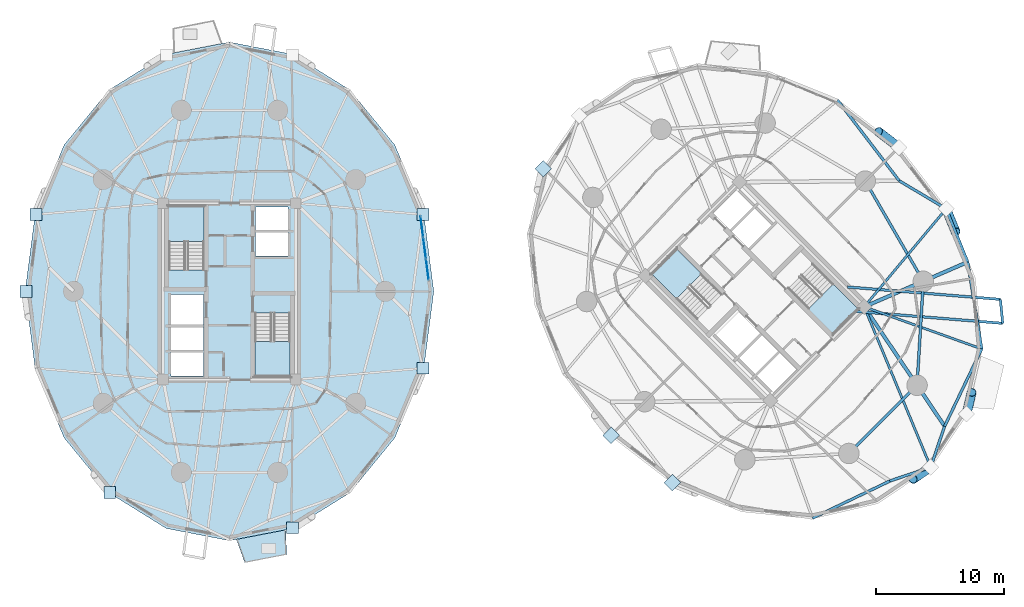
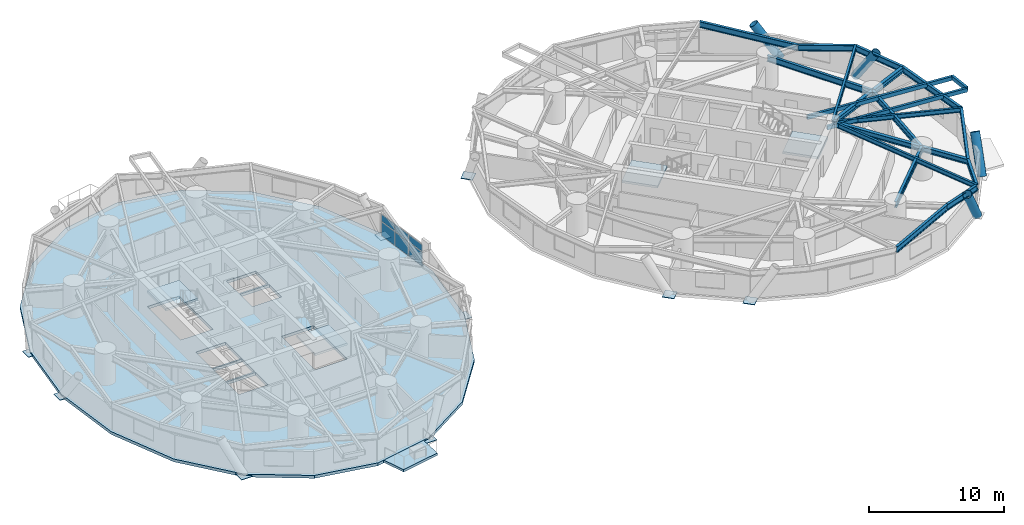
# One storey, part 8 of 18: 19 beams, 15 plates, 6 slabs, 4 members, 5 elements without a shape of their own.
"""IFC4 building model written with IfcOpenShell, lengths in metres."""

from ifc_helpers import new_model, si_unit, direction, frame, origin, origin_2d, place, context, subcontext, project, spatial, polyline, rectangle, hollow_rectangle, hollow_circle, i_section, outline, extrude, source, transform, mapped, material, layer, layer_set, material_profile, profile_set, type_object, element, aggregate, save


model = new_model("IFC4")

# Units and contexts
model_context = context("Model", 3, precision=1e-05, world=origin(), true_north=direction((0.0, 1.0)))
body_context = subcontext(model_context, "Body", "Model", "MODEL_VIEW")
ifc_project = project(units=[si_unit("LENGTHUNIT", "METRE"), si_unit("AREAUNIT", "SQUARE_METRE"), si_unit("VOLUMEUNIT", "CUBIC_METRE"), si_unit("PLANEANGLEUNIT", "RADIAN"), si_unit("MASSUNIT", "GRAM", prefix="KILO")], contexts=[model_context])

# Site, building, storey
site_placement = place(None, origin())
site = spatial("IfcSite", under=ifc_project, at=site_placement, CompositionType="ELEMENT")
building_placement = place(site_placement, origin())
building = spatial("IfcBuilding", under=site, at=building_placement, Name="Cununo Teusaquillo Station Towers", CompositionType="ELEMENT")
storey_placement = place(building_placement, frame((0.0, 0.0, 56.919921875)))
storey = spatial("IfcBuildingStorey", under=building, at=storey_placement, Name="L17", CompositionType="ELEMENT", Elevation=56.919921875)

# Beams
ifc_material_1 = material(Name="Steel EN 10025-2 S355J2", Category="steel")
ifc_material_profile_1 = material_profile(ifc_material_1, hollow_rectangle(XDim=0.199951171875, YDim=0.35009765625, WallThickness=0.013916015625, at=origin_2d()), Name="RHS 350x200x14")
ifc_profile_set_1 = profile_set([ifc_material_profile_1], Name="Steel EN 10025-2 S355J2")
beam_type_1 = type_object("IfcBeamType", Name="BM-BAL-CANT", PredefinedType="BEAM", material=ifc_profile_set_1)
beam_1_placement = place(storey_placement, frame((65.3427734375, 22.938232421875, 2.47509765625), z_axis=(0.996737206514, -0.080715185377, 0.0), x_axis=(0.080715185377, 0.996737206514, 0.0)))
element("IfcBeam", 1, at=beam_1_placement, inside=storey, type_object=beam_type_1, Name="L17 Tower B Balcony Cantilever Bracket 2A", PredefinedType="BEAM", context=body_context, shape_type="SweptSolid", body=[
    extrude(hollow_rectangle(XDim=0.199951171875, YDim=0.35009765625, WallThickness=0.013916015625, at=origin_2d()), origin(), (0.0, 0.0, 1.0), 11.524169921875),
])
beam_2_placement = place(storey_placement, frame((64.72412109375, 24.841796875, 2.47509765625), z_axis=(0.996738552182, -0.080698566242, 0.0), x_axis=(0.080698566242, 0.996738552182, 0.0)))
element("IfcBeam", 2, at=beam_2_placement, inside=storey, type_object=beam_type_1, Name="L17 Tower B Balcony Cantilever Bracket 2B", PredefinedType="BEAM", context=body_context, shape_type="SweptSolid", body=[
    extrude(hollow_rectangle(XDim=0.199951171875, YDim=0.35009765625, WallThickness=0.013916015625, at=origin_2d()), origin(), (0.0, 0.0, 1.0), 11.959228515625),
])
ifc_material_2 = material(Name="Steel ASTM A572 Grade 50", Category="steel")
ifc_material_profile_2 = material_profile(ifc_material_2, i_section(OverallWidth=0.180908203125, OverallDepth=0.4169921875, WebThickness=0.010986328125, FlangeThickness=0.018310546875, FilletRadius=0.012939453125, at=origin_2d()), Name="W16X57")
ifc_profile_set_2 = profile_set([ifc_material_profile_2], Name="Steel ASTM A572 Grade 50")
beam_type_2 = type_object("IfcBeamType", Name="BM-JOIST-1", PredefinedType="JOIST", material=ifc_profile_set_2)
beam_3_placement = place(storey_placement, frame((66.024169921875, 23.29443359375, 2.441650390625), z_axis=(0.383107724927, -0.923703670612, 0.0), x_axis=(0.923703670612, 0.383107724927, 0.0)))
element("IfcBeam", 3, at=beam_3_placement, inside=storey, type_object=beam_type_2, Name="L17 Tower B Radial Spandrel Joist V15", PredefinedType="JOIST", context=body_context, shape_type="SweptSolid", body=[
    extrude(i_section(OverallWidth=0.180908203125, OverallDepth=0.4169921875, WebThickness=0.010986328125, FlangeThickness=0.018310546875, FilletRadius=0.012939453125, at=origin_2d()), origin(), (0.0, 0.0, 1.0), 13.5380859375),
])
beam_4_placement = place(storey_placement, frame((66.024169921875, 23.29443359375, 2.441650390625), z_axis=(0.941404588136, -0.337279411522, 0.0), x_axis=(0.337279411522, 0.941404588136, 0.0)))
element("IfcBeam", 4, at=beam_4_placement, inside=storey, type_object=beam_type_2, Name="L17 Tower B Radial Spandrel Joist V17", PredefinedType="JOIST", context=body_context, shape_type="SweptSolid", body=[
    extrude(i_section(OverallWidth=0.180908203125, OverallDepth=0.4169921875, WebThickness=0.010986328125, FlangeThickness=0.018310546875, FilletRadius=0.012939453125, at=origin_2d()), origin(), (0.0, 0.0, 1.0), 9.740234375),
])
beam_5_placement = place(storey_placement, frame((66.024169921875, 23.29443359375, 2.441650390625), z_axis=(0.641315728701, 0.767277092139, 0.0), x_axis=(-0.767277092139, 0.641315728701, 0.0)))
element("IfcBeam", 5, at=beam_5_placement, inside=storey, type_object=beam_type_2, Name="L17 Tower B Radial Spandrel Joist V19", PredefinedType="JOIST", context=body_context, shape_type="SweptSolid", body=[
    extrude(i_section(OverallWidth=0.180908203125, OverallDepth=0.4169921875, WebThickness=0.010986328125, FlangeThickness=0.018310546875, FilletRadius=0.012939453125, at=origin_2d()), origin(), (0.0, 0.0, 1.0), 9.97021484375),
])
ifc_material_3 = material(Name="Steel ASTM A572 Grade 50", Category="steel")
ifc_material_profile_3 = material_profile(ifc_material_3, i_section(OverallWidth=0.280029296875, OverallDepth=0.462890625, WebThickness=0.0107421875, FlangeThickness=0.017333984375, FilletRadius=0.013916015625, at=origin_2d()), Name="W18X76")
ifc_profile_set_3 = profile_set([ifc_material_profile_3], Name="Steel ASTM A572 Grade 50")
beam_type_3 = type_object("IfcBeamType", Name="BM-RAD-G1", PredefinedType="BEAM", material=ifc_profile_set_3)
beam_6_placement = place(storey_placement, frame((66.024169921875, 23.29443359375, 2.41845703125), z_axis=(0.558572297481, -0.82945583878, 0.0), x_axis=(0.82945583878, 0.558572297481, 0.0)))
element("IfcBeam", 6, at=beam_6_placement, inside=storey, type_object=beam_type_3, Name="L17 Tower B Continuous Overhanging Radial Girder 09", PredefinedType="BEAM", context=body_context, shape_type="SweptSolid", body=[
    extrude(i_section(OverallWidth=0.280029296875, OverallDepth=0.462890625, WebThickness=0.0107421875, FlangeThickness=0.017333984375, FilletRadius=0.013916015625, at=origin_2d()), origin(), (0.0, 0.0, 1.0), 11.22998046875),
])
beam_7_placement = place(storey_placement, frame((66.024169921875, 23.29443359375, 2.41845703125), z_axis=(0.917660203996, 0.397366015157, 0.0), x_axis=(-0.397366015157, 0.917660203996, 0.0)))
element("IfcBeam", 7, at=beam_7_placement, inside=storey, type_object=beam_type_3, Name="L17 Tower B Continuous Overhanging Radial Girder 10", PredefinedType="BEAM", context=body_context, shape_type="SweptSolid", body=[
    extrude(i_section(OverallWidth=0.280029296875, OverallDepth=0.462890625, WebThickness=0.0107421875, FlangeThickness=0.017333984375, FilletRadius=0.013916015625, at=origin_2d()), origin(), (0.0, 0.0, 1.0), 8.798095703125),
])
ifc_material_4 = material(Name="Steel ASTM A572 Grade 50", Category="steel")
ifc_material_profile_4 = material_profile(ifc_material_4, i_section(OverallWidth=0.214111328125, OverallDepth=0.549072265625, WebThickness=0.0146484375, FlangeThickness=0.023681640625, FilletRadius=0.014892578125, at=origin_2d()), Name="W21X93")
ifc_profile_set_4 = profile_set([ifc_material_profile_4], Name="Steel ASTM A572 Grade 50")
beam_type_4 = type_object("IfcBeamType", Name="BM-RING-Z1", PredefinedType="SPANDREL", material=ifc_profile_set_4)
beam_8_placement = place(storey_placement, frame((64.826904296875, 11.853759765625, 2.37548828125), z_axis=(0.707106781187, 0.707106781187, 0.0), x_axis=(-0.707106781187, 0.707106781187, 0.0)))
element("IfcBeam", 8, at=beam_8_placement, inside=storey, type_object=beam_type_4, Name="L17 Tower B Structural Column Ring Girder 08", PredefinedType="SPANDREL", context=body_context, shape_type="SweptSolid", body=[
    extrude(i_section(OverallWidth=0.214111328125, OverallDepth=0.549072265625, WebThickness=0.0146484375, FlangeThickness=0.023681640625, FilletRadius=0.014892578125, at=origin_2d()), origin(), (0.0, 0.0, 1.0), 7.522705078125),
])
beam_9_placement = place(storey_placement, frame((70.146240234375, 17.173095703125, 2.37548828125), z_axis=(0.06012979176, 0.998190567048, 0.0), x_axis=(-0.998190567048, 0.06012979176, 0.0)))
element("IfcBeam", 9, at=beam_9_placement, inside=storey, type_object=beam_type_4, Name="L17 Tower B Structural Column Ring Girder 09", PredefinedType="SPANDREL", context=body_context, shape_type="SweptSolid", body=[
    extrude(i_section(OverallWidth=0.214111328125, OverallDepth=0.549072265625, WebThickness=0.0146484375, FlangeThickness=0.023681640625, FilletRadius=0.014892578125, at=origin_2d()), origin(), (0.0, 0.0, 1.0), 8.132568359375),
])
beam_10_placement = place(storey_placement, frame((70.63525390625, 25.291015625, 2.37548828125), z_axis=(-0.501311121078, 0.865267103202, 0.0), x_axis=(-0.865267103202, -0.501311121078, 0.0)))
element("IfcBeam", 10, at=beam_10_placement, inside=storey, type_object=beam_type_4, Name="L17 Tower B Structural Column Ring Girder 10", PredefinedType="SPANDREL", context=body_context, shape_type="SweptSolid", body=[
    extrude(i_section(OverallWidth=0.214111328125, OverallDepth=0.549072265625, WebThickness=0.0146484375, FlangeThickness=0.023681640625, FilletRadius=0.014892578125, at=origin_2d()), origin(), (0.0, 0.0, 1.0), 9.032958984375),
])
beam_11_placement = place(storey_placement, frame((68.7529296875, 33.12939453125, 2.37548828125), z_axis=(-0.607410042696, 0.794388469222, 0.0), x_axis=(-0.794388469222, -0.607410042696, 0.0)))
element("IfcBeam", 11, at=beam_11_placement, inside=storey, type_object=beam_type_4, Name="L17 Tower B Spandrel Ring Beam 01", PredefinedType="SPANDREL", context=body_context, shape_type="SweptSolid", body=[
    extrude(i_section(OverallWidth=0.214111328125, OverallDepth=0.549072265625, WebThickness=0.0146484375, FlangeThickness=0.023681640625, FilletRadius=0.014892578125, at=origin_2d()), origin(), (0.0, 0.0, 1.0), 7.91650390625),
])
beam_12_placement = place(storey_placement, frame((61.99072265625, 6.806396484375, 2.37548828125), z_axis=(0.901374357189, 0.433040723491, 0.0), x_axis=(-0.433040723491, 0.901374357189, 0.0)))
element("IfcBeam", 12, at=beam_12_placement, inside=storey, type_object=beam_type_4, Name="L17 Tower B Spandrel Ring Beam 14", PredefinedType="SPANDREL", context=body_context, shape_type="SweptSolid", body=[
    extrude(i_section(OverallWidth=0.214111328125, OverallDepth=0.549072265625, WebThickness=0.0146484375, FlangeThickness=0.023681640625, FilletRadius=0.014892578125, at=origin_2d()), origin(), (0.0, 0.0, 1.0), 6.689208984375),
])
for number, where, z_axis, x_axis, name in (
    (13, (68.020263671875, 9.703125, 2.37548828125), (0.946642852865, 0.322284515794, 0.0), (-0.322284515794, 0.946642852865, 0.0), "L17 Tower B Spandrel Ring Beam 15"),
    (14, (71.210693359375, 10.789306640625, 2.37548828125), (0.322284515794, 0.946642852865, 0.0), (-0.946642852865, 0.322284515794, 0.0), "L17 Tower B Spandrel Ring Beam 16"),
):
    element("IfcBeam", number, at=place(storey_placement, frame(where, z_axis=z_axis, x_axis=x_axis)), inside=storey, type_object=beam_type_4, Name=name, PredefinedType="SPANDREL", context=body_context, shape_type="SweptSolid", body=[
        extrude(i_section(OverallWidth=0.214111328125, OverallDepth=0.549072265625, WebThickness=0.0146484375, FlangeThickness=0.023681640625, FilletRadius=0.014892578125, at=origin_2d()), origin(), (0.0, 0.0, 1.0), 3.370361328125),
    ])
beam_13_placement = place(storey_placement, frame((72.296875, 13.979736328125, 2.37548828125), z_axis=(0.433040723491, 0.901374357189, 0.0), x_axis=(-0.901374357189, 0.433040723491, 0.0)))
element("IfcBeam", 15, at=beam_13_placement, inside=storey, type_object=beam_type_4, Name="L17 Tower B Spandrel Ring Beam 17", PredefinedType="SPANDREL", context=body_context, shape_type="SweptSolid", body=[
    extrude(i_section(OverallWidth=0.214111328125, OverallDepth=0.549072265625, WebThickness=0.0146484375, FlangeThickness=0.023681640625, FilletRadius=0.014892578125, at=origin_2d()), origin(), (0.0, 0.0, 1.0), 6.689208984375),
])
beam_14_placement = place(storey_placement, frame((75.193603515625, 20.00927734375, 2.37548828125), z_axis=(-0.15950955411, 0.987196384793, 0.0), x_axis=(-0.987196384793, -0.15950955411, 0.0)))
element("IfcBeam", 16, at=beam_14_placement, inside=storey, type_object=beam_type_4, Name="L17 Tower B Spandrel Ring Beam 18", PredefinedType="SPANDREL", context=body_context, shape_type="SweptSolid", body=[
    extrude(i_section(OverallWidth=0.214111328125, OverallDepth=0.549072265625, WebThickness=0.0146484375, FlangeThickness=0.023681640625, FilletRadius=0.014892578125, at=origin_2d()), origin(), (0.0, 0.0, 1.0), 6.869140625),
])
beam_15_placement = place(storey_placement, frame((74.097900390625, 26.79052734375, 2.37548828125), z_axis=(-0.374882843411, 0.927072194447, 0.0), x_axis=(-0.927072194447, -0.374882843411, 0.0)))
element("IfcBeam", 17, at=beam_15_placement, inside=storey, type_object=beam_type_4, Name="L17 Tower B Spandrel Ring Beam 19", PredefinedType="SPANDREL", context=body_context, shape_type="SweptSolid", body=[
    extrude(i_section(OverallWidth=0.214111328125, OverallDepth=0.549072265625, WebThickness=0.0146484375, FlangeThickness=0.023681640625, FilletRadius=0.014892578125, at=origin_2d()), origin(), (0.0, 0.0, 1.0), 4.48046875),
])
beam_16_placement = place(storey_placement, frame((72.418212890625, 30.9443359375, 2.37548828125), z_axis=(-0.858948426011, 0.512062107027, 0.0), x_axis=(-0.512062107027, -0.858948426011, 0.0)))
element("IfcBeam", 18, at=beam_16_placement, inside=storey, type_object=beam_type_4, Name="L17 Tower B Spandrel Ring Beam 20", PredefinedType="SPANDREL", context=body_context, shape_type="SweptSolid", body=[
    extrude(i_section(OverallWidth=0.214111328125, OverallDepth=0.549072265625, WebThickness=0.0146484375, FlangeThickness=0.023681640625, FilletRadius=0.014892578125, at=origin_2d()), origin(), (0.0, 0.0, 1.0), 4.26708984375),
])
ifc_material_5 = material(Name="Steel EN 10025-2 S355J2", Category="steel")
ifc_material_profile_5 = material_profile(ifc_material_5, hollow_rectangle(XDim=0.199951171875, YDim=0.35009765625, WallThickness=0.013916015625, at=origin_2d()), Name="RHS 350x200x14")
ifc_profile_set_5 = profile_set([ifc_material_profile_5], Name="Steel EN 10025-2 S355J2")
beam_type_5 = type_object("IfcBeamType", Name="BM-STAIR-TRIM", PredefinedType="BEAM", material=ifc_profile_set_5)
beam_17_placement = place(storey_placement, frame((76.829345703125, 22.008056640625, 2.525146484375), z_axis=(-0.098551090973, 0.995131992485, 0.0), x_axis=(-0.995131992485, -0.098551090973, 0.0)))
element("IfcBeam", 19, at=beam_17_placement, inside=storey, type_object=beam_type_5, Name="L17 Tower B Balcony Edge Trimmer Beam 2", PredefinedType="BEAM", context=body_context, shape_type="SweptSolid", body=[
    extrude(hollow_rectangle(XDim=0.199951171875, YDim=0.35009765625, WallThickness=0.013916015625, at=origin_2d()), origin(), (0.0, 0.0, 1.0), 1.877685546875),
])

# Members
ifc_material_6 = material(Name="Steel EN 10025-2 S355J2", Category="steel")
ifc_material_profile_6 = material_profile(ifc_material_6, hollow_circle(Radius=0.360107421875, WallThickness=0.028076171875, at=origin_2d()), Name="CHS 720x28")
ifc_profile_set_6 = profile_set([ifc_material_profile_6], Name="Steel EN 10025-2 S355J2")
member_type = type_object("IfcMemberType", Name="MBR-DIAG-Z1", PredefinedType="BRACE", material=ifc_profile_set_6)
member_1_placement = place(storey_placement, frame((68.73095703125, 35.73095703125, -0.139892578125), z_axis=(-0.450839843629, 0.347288106018, 0.82227392444), x_axis=(-0.610249600559, -0.792209205335, 0.0)))
element("IfcMember", 20, at=member_1_placement, inside=storey, type_object=member_type, Name="L17 Tower B Folded-Zigzag Diagrid Tube C00", PredefinedType="BRACE", context=body_context, shape_type="SweptSolid", body=[
    extrude(hollow_circle(Radius=0.360107421875, WallThickness=0.028076171875, at=origin_2d()), origin(), (0.0, 0.0, 1.0), 3.538818359375),
])
member_2_placement = place(storey_placement, frame((71.210693359375, 10.789306640625, -0.139892578125), z_axis=(-0.411654111311, -0.278343414846, 0.867793659836), x_axis=(0.560131970087, -0.828403389712, 0.0)))
element("IfcMember", 21, at=member_2_placement, inside=storey, type_object=member_type, Name="L17 Tower B Folded-Zigzag Diagrid Tube C14", PredefinedType="BRACE", context=body_context, shape_type="SweptSolid", body=[
    extrude(hollow_circle(Radius=0.360107421875, WallThickness=0.028076171875, at=origin_2d()), origin(), (0.0, 0.0, 1.0), 3.353271484375),
])
member_3_placement = place(storey_placement, frame((74.01025390625, 14.930908203125, -0.139892578125), z_axis=(0.116400503539, 0.499384090986, 0.858525743613), x_axis=(-0.973894027021, 0.227003136833, 0.0)))
element("IfcMember", 22, at=member_3_placement, inside=storey, type_object=member_type, Name="L17 Tower B Folded-Zigzag Diagrid Tube C16", PredefinedType="BRACE", context=body_context, shape_type="SweptSolid", body=[
    extrude(hollow_circle(Radius=0.360107421875, WallThickness=0.028076171875, at=origin_2d()), origin(), (0.0, 0.0, 1.0), 3.389404296875),
])
member_4_placement = place(storey_placement, frame((72.418212890625, 30.9443359375, -0.139892578125), z_axis=(0.211804277744, -0.515297512564, 0.830426048167), x_axis=(0.924916190309, 0.380171067947, 0.0)))
element("IfcMember", 23, at=member_4_placement, inside=storey, type_object=member_type, Name="L17 Tower B Folded-Zigzag Diagrid Tube C18", PredefinedType="BRACE", context=body_context, shape_type="SweptSolid", body=[
    extrude(hollow_circle(Radius=0.360107421875, WallThickness=0.028076171875, at=origin_2d()), origin(), (0.0, 0.0, 1.0), 3.504150390625),
])

# Slab
ifc_material_7 = material(Name="Concrete C50/60", Category="concrete")
ifc_layer_1 = layer(ifc_material_7, 0.2099609375)
ifc_layer_set_1 = layer_set([ifc_layer_1], Name="Concrete C50/60")
slab_type_1 = type_object("IfcSlabType", Name="SLB-BAL-210", PredefinedType="FLOOR", material=ifc_layer_set_1)
slab_1_placement = place(storey_placement, frame((0.0, 0.0, -0.2099609375)))
element("IfcSlab", 24, at=slab_1_placement, inside=storey, type_object=slab_type_1, Name="L17 Tower A Tree Balcony Slab 2", PredefinedType="FLOOR", context=body_context, shape_type="SweptSolid", body=[
    extrude(outline(polyline([(17.041015625, 5.1494140625), (20.8876953125, 5.892578125), (20.956298828125, 3.95556640625), (17.69873046875, 3.326171875), (17.041015625, 5.1494140625)])), origin(), (0.0, 0.0, 1.0), 0.2099609375),
])

# Stair, slab
ifc_material_8 = material(Name="Concrete C50/60", Category="concrete")
stair_type = type_object("IfcStairType", Name="ST-TWR-1300", PredefinedType="HALF_TURN_STAIR", material=ifc_material_8)
stair_1_placement = place(storey_placement, origin())
stair_1 = element("IfcStair", 25, at=stair_1_placement, inside=storey, type_object=stair_type, Name="L17 Tower A Protected Core Exit Stair 1", PredefinedType="HALF_TURN_STAIR")
ifc_material_9 = material(Name="Concrete C50/60", Category="concrete")
ifc_layer_2 = layer(ifc_material_9, 0.199951171875)
ifc_layer_set_2 = layer_set([ifc_layer_2], Name="Concrete C50/60")
slab_type_2 = type_object("IfcSlabType", Name="SLB-STAIR-LND", PredefinedType="LANDING", material=ifc_layer_set_2)
slab_2_placement = place(storey_placement, frame((0.0, 0.0, 1.255126953125)))
slab_2 = element("IfcSlab", 26, at=slab_2_placement, type_object=slab_type_2, Name="ST-T1-1 landing 1", PredefinedType="LANDING", context=body_context, shape_type="SweptSolid", body=[
    extrude(outline(polyline([(14.52001953125, 28.409912109375), (14.52001953125, 31.159912109375), (11.760009765625, 31.159912109375), (11.760009765625, 28.409912109375), (14.52001953125, 28.409912109375)])), origin(), (0.0, 0.0, 1.0), 0.199951171875),
])
aggregate(stair_1, [slab_2])

stair_2_placement = place(storey_placement, origin())
stair_2 = element("IfcStair", 27, at=stair_2_placement, inside=storey, type_object=stair_type, Name="L17 Tower A Protected Core Exit Stair 2", PredefinedType="HALF_TURN_STAIR")
slab_3_placement = place(storey_placement, frame((0.0, 0.0, 1.255126953125)))
slab_3 = element("IfcSlab", 28, at=slab_3_placement, type_object=slab_type_2, Name="ST-T1-2 landing 1", PredefinedType="LANDING", context=body_context, shape_type="SweptSolid", body=[
    extrude(outline(polyline([(18.47998046875, 20.590087890625), (18.47998046875, 17.840087890625), (21.239990234375, 17.840087890625), (21.239990234375, 20.590087890625), (18.47998046875, 20.590087890625)])), origin(), (0.0, 0.0, 1.0), 0.199951171875),
])
aggregate(stair_2, [slab_3])

stair_3_placement = place(storey_placement, origin())
stair_3 = element("IfcStair", 29, at=stair_3_placement, inside=storey, type_object=stair_type, Name="L17 Tower B Protected Core Exit Stair 1", PredefinedType="HALF_TURN_STAIR")
slab_4_placement = place(storey_placement, frame((0.0, 0.0, 1.255126953125)))
slab_4 = element("IfcSlab", 30, at=slab_4_placement, type_object=slab_type_2, Name="ST-T2-1 landing 1", PredefinedType="LANDING", context=body_context, shape_type="SweptSolid", body=[
    extrude(outline(polyline([(53.335205078125, 25.86474609375), (51.390625, 27.809326171875), (49.43896484375, 25.857666015625), (51.383544921875, 23.9130859375), (53.335205078125, 25.86474609375)])), origin(), (0.0, 0.0, 1.0), 0.199951171875),
])
aggregate(stair_3, [slab_4])

stair_4_placement = place(storey_placement, origin())
stair_4 = element("IfcStair", 31, at=stair_4_placement, inside=storey, type_object=stair_type, Name="L17 Tower B Protected Core Exit Stair 2", PredefinedType="HALF_TURN_STAIR")
slab_5_placement = place(storey_placement, frame((0.0, 0.0, 1.255126953125)))
slab_5 = element("IfcSlab", 32, at=slab_5_placement, type_object=slab_type_2, Name="ST-T2-2 landing 1", PredefinedType="LANDING", context=body_context, shape_type="SweptSolid", body=[
    extrude(outline(polyline([(61.664794921875, 23.13525390625), (63.609375, 21.190673828125), (65.56103515625, 23.142333984375), (63.616455078125, 25.0869140625), (61.664794921875, 23.13525390625)])), origin(), (0.0, 0.0, 1.0), 0.199951171875),
])
aggregate(stair_4, [slab_5])

# Slab
ifc_material_10 = material(Name="Concrete C50/60", Category="concrete")
ifc_layer_3 = layer(ifc_material_10, 0.260009765625)
ifc_layer_set_3 = layer_set([ifc_layer_3], Name="Concrete C50/60")
slab_type_3 = type_object("IfcSlabType", Name="SLB-Z1-260", PredefinedType="FLOOR", material=ifc_layer_set_3)
slab_6_placement = place(storey_placement, frame((0.0, 0.0, -0.260009765625)))
element("IfcSlab", 33, at=slab_6_placement, inside=storey, type_object=slab_type_3, Name="L17 Tower A Floor Slab", PredefinedType="FLOOR", context=body_context, shape_type="SweptSolid", body=[
    extrude(outline(polyline([(32.443115234375, 24.5), (31.66259765625, 30.510498046875), (29.398193359375, 35.932373046875), (25.87109375, 40.2353515625), (21.4267578125, 42.998046875), (16.5, 43.949951171875), (11.5732421875, 42.998046875), (7.12890625, 40.2353515625), (3.601806640625, 35.932373046875), (1.33740234375, 30.510498046875), (0.556884765625, 24.5), (1.33740234375, 18.489501953125), (3.601806640625, 13.067626953125), (7.12890625, 8.7646484375), (11.5732421875, 6.001953125), (16.5, 5.050048828125), (21.4267578125, 6.001953125), (25.87109375, 8.7646484375), (29.398193359375, 13.067626953125), (31.66259765625, 18.489501953125), (32.443115234375, 24.5)]), holes=[polyline([(14.52001953125, 26.176025390625), (14.52001953125, 31.159912109375), (11.760009765625, 31.159912109375), (11.760009765625, 26.176025390625), (14.52001953125, 26.176025390625)]), polyline([(18.47998046875, 22.823974609375), (18.47998046875, 17.840087890625), (21.239990234375, 17.840087890625), (21.239990234375, 22.823974609375), (18.47998046875, 22.823974609375)]), polyline([(11.949951171875, 21.85009765625), (14.47998046875, 21.85009765625), (14.47998046875, 24.25), (11.949951171875, 24.25), (11.949951171875, 21.85009765625)]), polyline([(11.949951171875, 17.89990234375), (14.47998046875, 17.89990234375), (14.47998046875, 19.75), (11.949951171875, 19.75), (11.949951171875, 17.89990234375)]), polyline([(11.949951171875, 19.89990234375), (14.47998046875, 19.89990234375), (14.47998046875, 21.75), (11.949951171875, 21.75), (11.949951171875, 19.89990234375)]), polyline([(18.52001953125, 27.25), (21.050048828125, 27.25), (21.050048828125, 29.10009765625), (18.52001953125, 29.10009765625), (18.52001953125, 27.25)]), polyline([(18.52001953125, 29.25), (21.050048828125, 29.25), (21.050048828125, 31.10009765625), (18.52001953125, 31.10009765625), (18.52001953125, 29.25)])]), origin(), (0.0, 0.0, 1.0), 0.260009765625),
])

# Plates
ifc_material_11 = material(Name="Steel ASTM A572 Grade 50", Category="steel")
ifc_layer_4 = layer(ifc_material_11, 0.050048828125)
ifc_layer_set_4 = layer_set([ifc_layer_4], Name="Steel ASTM A572 Grade 50")
plate_type_1 = type_object("IfcPlateType", Name="PLT-NODE-DN1", PredefinedType="USERDEFINED", material=ifc_layer_set_4)
shared_shape_1 = source(origin(), body_context, "Body", "SweptSolid", [
    extrude(rectangle(XDim=0.919921875, YDim=0.919921875, at=origin_2d()), origin(), (0.0, 0.0, 1.0), 0.050048828125),
])
for number, where, z_axis, x_axis, name in (
    (34, (31.605712890625, 30.49169921875, -0.1650390625), (0.0, 0.0, 1.0), (1.0, 0.0, 0.0), "L17 Tower A Diagrid Node Assembly C01"),
    (35, (1.394287109375, 30.49169921875, -0.1650390625), (0.0, 0.0, 1.0), (1.0, 0.0, 0.0), "L17 Tower A Diagrid Node Assembly C08"),
    (36, (0.616943359375, 24.5, -0.1650390625), (0.0, 0.0, 1.0), (1.0, 0.0, 0.0), "L17 Tower A Diagrid Node Assembly C10"),
    (37, (7.164306640625, 8.813232421875, -0.1650390625), (0.0, 0.0, 1.0), (1.0, 0.0, 0.0), "L17 Tower A Diagrid Node Assembly C12"),
    (38, (21.408203125, 6.05908203125, -0.1650390625), (0.0, 0.0, 1.0), (1.0, 0.0, 0.0), "L17 Tower A Diagrid Node Assembly C16"),
    (39, (31.605712890625, 18.50830078125, -0.1650390625), (0.0, 0.0, 1.0), (1.0, 0.0, 0.0), "L17 Tower A Diagrid Node Assembly C18"),
    (40, (40.98974609375, 34.069091796875, -0.1650390625), (0.0, 0.0, 1.0), (0.707106781187, 0.707106781187, 0.0), "L17 Tower B Diagrid Node Assembly C06"),
    (41, (46.26904296875, 13.26904296875, -0.1650390625), (0.0, 0.0, 1.0), (0.707106781187, 0.707106781187, 0.0), "L17 Tower B Diagrid Node Assembly C09"),
    (42, (51.0556640625, 9.581787109375, -0.1650390625), (0.0, 0.0, 1.0), (0.707106781187, 0.707106781187, 0.0), "L17 Tower B Diagrid Node Assembly C11"),
):
    element("IfcPlate", number, at=place(storey_placement, frame(where, z_axis=z_axis, x_axis=x_axis)), inside=storey, type_object=plate_type_1, Name=name, ObjectType="GUSSET PLATE", PredefinedType="USERDEFINED", context=body_context, shape_type="MappedRepresentation", body=[
        mapped(shared_shape_1, transform((0.0, 0.0, 0.0), x_axis=(1.0, 0.0, 0.0), y_axis=(0.0, 1.0, 0.0), z_axis=(0.0, 0.0, 1.0), scale=1.0)),
    ])

# Curtain wall, plates
ifc_material_12 = material(Name="Operable acoustic tinted low-E double glazing", Category="glass")
ifc_layer_5 = layer(ifc_material_12, 0.179931640625)
ifc_layer_set_5 = layer_set([ifc_layer_5], Name="Operable acoustic tinted low-E double glazing")
curtain_wall_type = type_object("IfcCurtainWallType", Name="CW-SYS-03", PredefinedType="USERDEFINED", material=ifc_layer_set_5)
curtain_wall_placement = place(storey_placement, origin())
curtain_wall = element("IfcCurtainWall", 43, at=curtain_wall_placement, inside=storey, type_object=curtain_wall_type, Name="L17 Tower A Facade Curtain Wall C00", ObjectType="OPERABLE GLAZING", PredefinedType="USERDEFINED")
ifc_material_13 = material(Name="Operable acoustic tinted low-E double glazing", Category="glass")
ifc_layer_6 = layer(ifc_material_13, 0.031982421875)
ifc_layer_set_6 = layer_set([ifc_layer_6], Name="Operable acoustic tinted low-E double glazing")
plate_type_2 = type_object("IfcPlateType", Name="CWP-OPER-32", PredefinedType="CURTAIN_PANEL", material=ifc_layer_set_6)
shared_shape_2 = source(origin(), body_context, "Body", "SweptSolid", [
    extrude(rectangle(XDim=1.602783203125, YDim=0.031982421875, at=origin_2d()), origin(), (0.0, 0.0, 1.0), 1.241943359375),
])
plate_1_placement = place(storey_placement, frame((31.50830078125, 29.559814453125, 0.0703125), z_axis=(0.0, 0.0, 1.0), x_axis=(0.128336112783, -0.99173073067, 0.0)))
plate_1 = element("IfcPlate", 44, at=plate_1_placement, type_object=plate_type_2, Name="CW-03 panel 1.1", PredefinedType="CURTAIN_PANEL", context=body_context, shape_type="MappedRepresentation", body=[
    mapped(shared_shape_2, transform((0.0, 0.0, 0.0), x_axis=(1.0, 0.0, 0.0), y_axis=(0.0, 1.0, 0.0), z_axis=(0.0, 0.0, 1.0), scale=1.0)),
])
plate_2_placement = place(storey_placement, frame((31.942138671875, 26.207275390625, 0.0703125), z_axis=(0.0, 0.0, 1.0), x_axis=(0.128336112783, -0.99173073067, 0.0)))
plate_2 = element("IfcPlate", 45, at=plate_2_placement, type_object=plate_type_2, Name="CW-03 panel 3.1", PredefinedType="CURTAIN_PANEL", context=body_context, shape_type="MappedRepresentation", body=[
    mapped(shared_shape_2, transform((0.0, 0.0, 0.0), x_axis=(1.0, 0.0, 0.0), y_axis=(0.0, 1.0, 0.0), z_axis=(0.0, 0.0, 1.0), scale=1.0)),
])
shared_shape_3 = source(origin(), body_context, "Body", "SweptSolid", [
    extrude(rectangle(XDim=1.602783203125, YDim=0.031982421875, at=origin_2d()), origin(), (0.0, 0.0, 1.0), 0.62109375),
])
plate_3_placement = place(storey_placement, frame((31.50830078125, 29.559814453125, 1.382080078125), z_axis=(0.0, 0.0, 1.0), x_axis=(0.128336112783, -0.99173073067, 0.0)))
plate_3 = element("IfcPlate", 46, at=plate_3_placement, type_object=plate_type_2, Name="CW-03 panel 1.2", PredefinedType="CURTAIN_PANEL", context=body_context, shape_type="MappedRepresentation", body=[
    mapped(shared_shape_3, transform((0.0, 0.0, 0.0), x_axis=(1.0, 0.0, 0.0), y_axis=(0.0, 1.0, 0.0), z_axis=(0.0, 0.0, 1.0), scale=1.0)),
])
plate_4_placement = place(storey_placement, frame((31.942138671875, 26.207275390625, 1.382080078125), z_axis=(0.0, 0.0, 1.0), x_axis=(0.128336112783, -0.99173073067, 0.0)))
plate_4 = element("IfcPlate", 47, at=plate_4_placement, type_object=plate_type_2, Name="CW-03 panel 3.2", PredefinedType="CURTAIN_PANEL", context=body_context, shape_type="MappedRepresentation", body=[
    mapped(shared_shape_3, transform((0.0, 0.0, 0.0), x_axis=(1.0, 0.0, 0.0), y_axis=(0.0, 1.0, 0.0), z_axis=(0.0, 0.0, 1.0), scale=1.0)),
])
shared_shape_4 = source(origin(), body_context, "Body", "SweptSolid", [
    extrude(rectangle(XDim=1.6376953125, YDim=0.031982421875, at=origin_2d()), origin(), (0.0, 0.0, 1.0), 1.241943359375),
])
plate_5_placement = place(storey_placement, frame((31.72509765625, 27.883544921875, 0.0703125), z_axis=(0.0, 0.0, 1.0), x_axis=(0.128336112783, -0.99173073067, 0.0)))
plate_5 = element("IfcPlate", 48, at=plate_5_placement, type_object=plate_type_2, Name="CW-03 panel 2.1", PredefinedType="CURTAIN_PANEL", context=body_context, shape_type="MappedRepresentation", body=[
    mapped(shared_shape_4, transform((0.0, 0.0, 0.0), x_axis=(1.0, 0.0, 0.0), y_axis=(0.0, 1.0, 0.0), z_axis=(0.0, 0.0, 1.0), scale=1.0)),
])
shared_shape_5 = source(origin(), body_context, "Body", "SweptSolid", [
    extrude(rectangle(XDim=1.6376953125, YDim=0.031982421875, at=origin_2d()), origin(), (0.0, 0.0, 1.0), 0.62109375),
])
plate_6_placement = place(storey_placement, frame((31.72509765625, 27.883544921875, 1.382080078125), z_axis=(0.0, 0.0, 1.0), x_axis=(0.128336112783, -0.99173073067, 0.0)))
plate_6 = element("IfcPlate", 49, at=plate_6_placement, type_object=plate_type_2, Name="CW-03 panel 2.2", PredefinedType="CURTAIN_PANEL", context=body_context, shape_type="MappedRepresentation", body=[
    mapped(shared_shape_5, transform((0.0, 0.0, 0.0), x_axis=(1.0, 0.0, 0.0), y_axis=(0.0, 1.0, 0.0), z_axis=(0.0, 0.0, 1.0), scale=1.0)),
])
aggregate(curtain_wall, [plate_1, plate_3, plate_5, plate_6, plate_2, plate_4])

save(model, "model.ifc")
